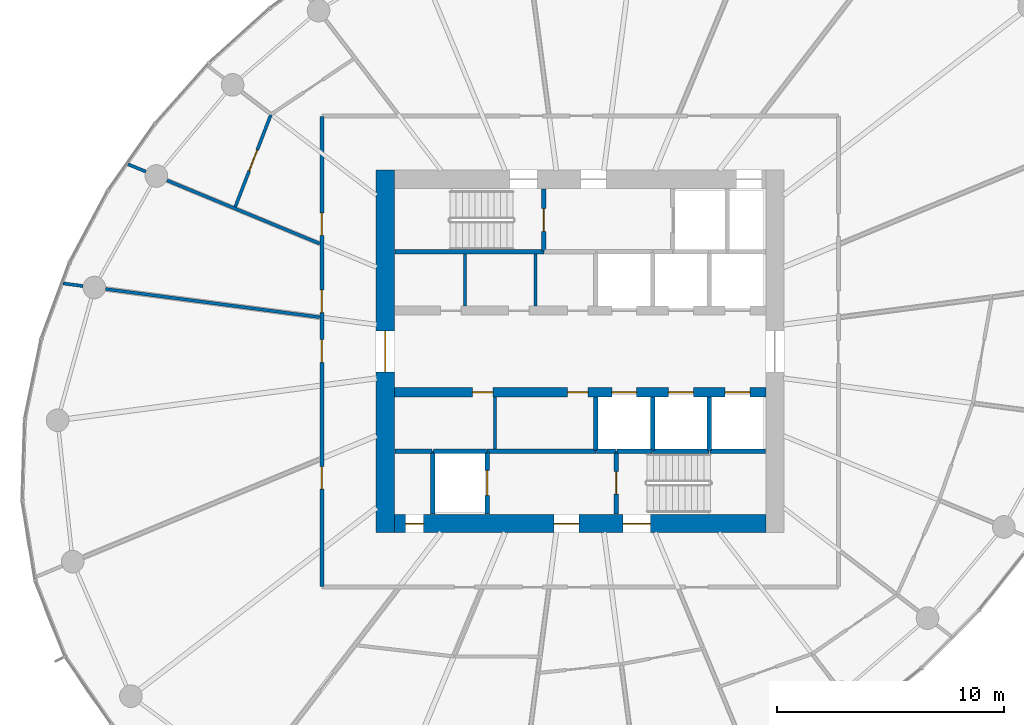
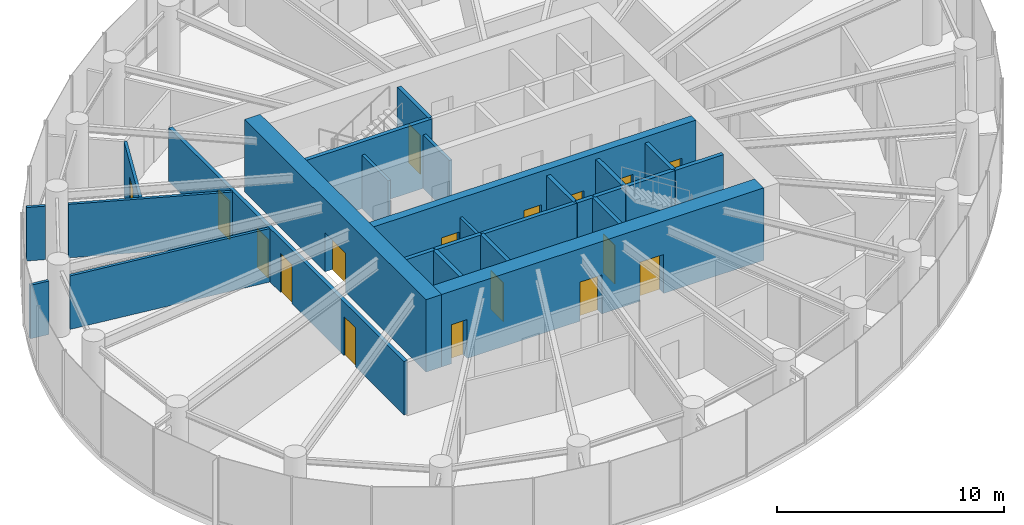
# One storey, part 9 of 14: 27 walls, 17 doors, 17 openings.
"""IFC4 building model written with IfcOpenShell, lengths in metres."""

from ifc_helpers import new_model, si_unit, direction, frame, frame_2d, origin, place, context, subcontext, project, spatial, rectangle, extrude, source, transform, mapped, material, layer, layer_set, type_object, element, fill, save


model = new_model("IFC4")

# Units and contexts
model_context = context("Model", 3, precision=1e-05, world=origin(), true_north=direction((0.0, 1.0)))
body_context = subcontext(model_context, "Body", "Model", "MODEL_VIEW")
ifc_project = project(units=[si_unit("LENGTHUNIT", "METRE"), si_unit("AREAUNIT", "SQUARE_METRE"), si_unit("VOLUMEUNIT", "CUBIC_METRE"), si_unit("PLANEANGLEUNIT", "RADIAN"), si_unit("MASSUNIT", "GRAM", prefix="KILO")], contexts=[model_context])

# Site, building, storey
site_placement = place(None, origin())
site = spatial("IfcSite", under=ifc_project, at=site_placement, CompositionType="ELEMENT")
building_placement = place(site_placement, origin())
building = spatial("IfcBuilding", under=site, at=building_placement, Name="Spindrift Exchange Tower", CompositionType="ELEMENT")
storey_placement = place(building_placement, frame((0.0, 0.0, 148.699951171875)))
storey = spatial("IfcBuildingStorey", under=building, at=storey_placement, Name="L35", CompositionType="ELEMENT", Elevation=148.699951171875)

# Wall, opening, door
ifc_material_1 = material(Name="Concrete 65 MPa", Category="concrete")
ifc_layer_1 = layer(ifc_material_1, 0.800048828125)
ifc_layer_set_1 = layer_set([ifc_layer_1], Name="RC Core Wall 800 Concrete 65 MPa")
wall_type_1 = type_object("IfcWallType", Name="RC Core Wall 800 Concrete 65 MPa", PredefinedType="SHEAR", material=ifc_layer_set_1)
wall_1_placement = place(storey_placement, frame((43.39990234375, 56.0, 0.0), z_axis=(0.0, 0.0, 1.0), x_axis=(0.0, -1.0, 0.0)))
wall_1 = element("IfcWall", 1, at=wall_1_placement, inside=storey, type_object=wall_type_1, Name="Core wall W L35", PredefinedType="SHEAR", context=body_context, shape_type="SweptSolid", body=[
    extrude(rectangle(XDim=16.0, YDim=0.800048828125, at=frame_2d((8.0, 0.0))), origin(), (0.0, 0.0, 1.0), 3.900146484375),
])
opening_1_placement = place(wall_1_placement, frame((7.10009765625, 0.0, 0.0)))
opening_1 = element("IfcOpeningElement", 2, at=opening_1_placement, cuts=wall_1, Name="Opening L35-D1", PredefinedType="OPENING", context=body_context, shape_type="SweptSolid", body=[
    extrude(rectangle(XDim=1.800048828125, YDim=2.10009765625, at=frame_2d((0.89990234375, 1.050048828125))), frame((0.0, 0.409912109375, 0.0), z_axis=(0.0, -1.0, 0.0), x_axis=(1.0, 0.0, 0.0)), (0.0, 0.0, 1.0), 0.820068359375),
])
ifc_material_2 = material(Name="Timber-core fire door", Category="wood")
door_type_1 = type_object("IfcDoorType", Name="DR-LOBBY-1800", OperationType="NOTDEFINED", PredefinedType="DOOR", material=ifc_material_2)
shared_shape_1 = source(origin(), body_context, "Body", "SweptSolid", [
    extrude(rectangle(XDim=1.800048828125, YDim=2.10009765625, at=frame_2d((0.89990234375, 1.050048828125))), frame((0.0, 0.02490234375, 0.0), z_axis=(0.0, -1.0, 0.0), x_axis=(1.0, 0.0, 0.0)), (0.0, 0.0, 1.0), 0.050048828125),
])
door_1_placement = place(opening_1_placement, origin())
door_1 = element("IfcDoor", 3, at=door_1_placement, inside=storey, type_object=door_type_1, Name="L35 Lobby door 1", OperationType="SINGLE_SWING_RIGHT", OverallHeight=2.10009765625, OverallWidth=1.800048828125, PredefinedType="DOOR", context=body_context, shape_type="MappedRepresentation", body=[
    mapped(shared_shape_1, transform((0.0, 0.0, 0.0), scale=1.0)),
])
fill(opening_1, door_1)

# Wall, openings, doors
wall_2_placement = place(storey_placement, frame((43.800048828125, 40.39990234375, 0.0), z_axis=(0.0, 0.0, 1.0), x_axis=(1.0, 0.0, 0.0)))
wall_2 = element("IfcWall", 4, at=wall_2_placement, inside=storey, type_object=wall_type_1, Name="Core wall S L35", PredefinedType="SHEAR", context=body_context, shape_type="SweptSolid", body=[
    extrude(rectangle(XDim=16.39990234375, YDim=0.800048828125, at=frame_2d((8.199951171875, 0.0))), origin(), (0.0, 0.0, 1.0), 3.900146484375),
])
opening_2_placement = place(wall_2_placement, frame((10.10009765625, 0.0, 0.0)))
opening_2 = element("IfcOpeningElement", 5, at=opening_2_placement, cuts=wall_2, Name="Opening L35-D15", PredefinedType="OPENING", context=body_context, shape_type="SweptSolid", body=[
    extrude(rectangle(XDim=1.199951171875, YDim=2.10009765625, at=frame_2d((0.60009765625, 1.050048828125))), frame((0.0, 0.409912109375, 0.0), z_axis=(0.0, -1.0, 0.0), x_axis=(1.0, 0.0, 0.0)), (0.0, 0.0, 1.0), 0.820068359375),
])
opening_3_placement = place(wall_2_placement, frame((7.050048828125, 0.0, 0.0)))
opening_3 = element("IfcOpeningElement", 6, at=opening_3_placement, cuts=wall_2, Name="Opening L35-D17", PredefinedType="OPENING", context=body_context, shape_type="SweptSolid", body=[
    extrude(rectangle(XDim=1.10009765625, YDim=2.10009765625, at=frame_2d((0.550048828125, 1.050048828125))), frame((0.0, 0.409912109375, 0.0), z_axis=(0.0, -1.0, 0.0), x_axis=(1.0, 0.0, 0.0)), (0.0, 0.0, 1.0), 0.820068359375),
])
opening_4_placement = place(wall_2_placement, frame((0.5, 0.0, 0.0)))
opening_4 = element("IfcOpeningElement", 7, at=opening_4_placement, cuts=wall_2, Name="Opening L35-D18", PredefinedType="OPENING", context=body_context, shape_type="SweptSolid", body=[
    extrude(rectangle(XDim=0.800048828125, YDim=2.10009765625, at=frame_2d((0.39990234375, 1.050048828125))), frame((0.0, 0.409912109375, 0.0), z_axis=(0.0, -1.0, 0.0), x_axis=(1.0, 0.0, 0.0)), (0.0, 0.0, 1.0), 0.820068359375),
])
ifc_material_3 = material(Name="Steel fire door", Category="steel")
door_type_2 = type_object("IfcDoorType", Name="DR-STAIR-1200", OperationType="NOTDEFINED", PredefinedType="DOOR", material=ifc_material_3)
shared_shape_2 = source(origin(), body_context, "Body", "SweptSolid", [
    extrude(rectangle(XDim=1.199951171875, YDim=2.10009765625, at=frame_2d((0.60009765625, 1.050048828125))), frame((0.0, 0.02490234375, 0.0), z_axis=(0.0, -1.0, 0.0), x_axis=(1.0, 0.0, 0.0)), (0.0, 0.0, 1.0), 0.050048828125),
])
door_2_placement = place(opening_2_placement, origin())
door_2 = element("IfcDoor", 8, at=door_2_placement, inside=storey, type_object=door_type_2, Name="L35 Stair door 15", OperationType="SINGLE_SWING_LEFT", OverallHeight=2.10009765625, OverallWidth=1.199951171875, PredefinedType="DOOR", context=body_context, shape_type="MappedRepresentation", body=[
    mapped(shared_shape_2, transform((0.0, 0.0, 0.0), scale=1.0)),
])
fill(opening_2, door_2)
door_type_3 = type_object("IfcDoorType", Name="DR-LOBBY-1100", OperationType="NOTDEFINED", PredefinedType="DOOR", material=ifc_material_2)
shared_shape_3 = source(origin(), body_context, "Body", "SweptSolid", [
    extrude(rectangle(XDim=1.10009765625, YDim=2.10009765625, at=frame_2d((0.550048828125, 1.050048828125))), frame((0.0, 0.02490234375, 0.0), z_axis=(0.0, -1.0, 0.0), x_axis=(1.0, 0.0, 0.0)), (0.0, 0.0, 1.0), 0.050048828125),
])
door_3_placement = place(opening_3_placement, origin())
door_3 = element("IfcDoor", 9, at=door_3_placement, inside=storey, type_object=door_type_3, Name="L35 Lobby door 17", OperationType="SINGLE_SWING_LEFT", OverallHeight=2.10009765625, OverallWidth=1.10009765625, PredefinedType="DOOR", context=body_context, shape_type="MappedRepresentation", body=[
    mapped(shared_shape_3, transform((0.0, 0.0, 0.0), scale=1.0)),
])
fill(opening_3, door_3)
ifc_material_4 = material(Name="Steel access door", Category="steel")
door_type_4 = type_object("IfcDoorType", Name="DR-RISER-800", OperationType="NOTDEFINED", PredefinedType="DOOR", material=ifc_material_4)
shared_shape_4 = source(origin(), body_context, "Body", "SweptSolid", [
    extrude(rectangle(XDim=0.800048828125, YDim=2.10009765625, at=frame_2d((0.39990234375, 1.050048828125))), frame((0.0, 0.02490234375, 0.0), z_axis=(0.0, -1.0, 0.0), x_axis=(1.0, 0.0, 0.0)), (0.0, 0.0, 1.0), 0.050048828125),
])
door_4_placement = place(opening_4_placement, origin())
door_4 = element("IfcDoor", 10, at=door_4_placement, inside=storey, type_object=door_type_4, Name="L35 Riser door 18", OperationType="SINGLE_SWING_RIGHT", OverallHeight=2.10009765625, OverallWidth=0.800048828125, PredefinedType="DOOR", context=body_context, shape_type="MappedRepresentation", body=[
    mapped(shared_shape_4, transform((0.0, 0.0, 0.0), scale=1.0)),
])
fill(opening_4, door_4)

ifc_layer_2 = layer(ifc_material_1, 0.39990234375)
ifc_layer_set_2 = layer_set([ifc_layer_2], Name="RC Spine Wall 400 Concrete 65 MPa")
wall_type_2 = type_object("IfcWallType", Name="RC Spine Wall 400 Concrete 65 MPa", PredefinedType="SHEAR", material=ifc_layer_set_2)
wall_3_placement = place(storey_placement, frame((43.800048828125, 46.199951171875, 0.0), z_axis=(0.0, 0.0, 1.0), x_axis=(1.0, 0.0, 0.0)))
wall_3 = element("IfcWall", 11, at=wall_3_placement, inside=storey, type_object=wall_type_2, Name="Core spine wall S L35", PredefinedType="SHEAR", context=body_context, shape_type="SweptSolid", body=[
    extrude(rectangle(XDim=16.39990234375, YDim=0.39990234375, at=frame_2d((8.199951171875, 0.0))), origin(), (0.0, 0.0, 1.0), 3.900146484375),
])
opening_5_placement = place(wall_3_placement, frame((9.60009765625, 0.0, 0.0)))
opening_5 = element("IfcOpeningElement", 12, at=opening_5_placement, cuts=wall_3, Name="Opening L35-D6", PredefinedType="OPENING", context=body_context, shape_type="SweptSolid", body=[
    extrude(rectangle(XDim=1.10009765625, YDim=2.10009765625, at=frame_2d((0.550048828125, 1.050048828125))), frame((0.0, 0.2099609375, 0.0), z_axis=(0.0, -1.0, 0.0), x_axis=(1.0, 0.0, 0.0)), (0.0, 0.0, 1.0), 0.419921875),
])
opening_6_placement = place(wall_3_placement, frame((12.10009765625, 0.0, 0.0)))
opening_6 = element("IfcOpeningElement", 13, at=opening_6_placement, cuts=wall_3, Name="Opening L35-D7", PredefinedType="OPENING", context=body_context, shape_type="SweptSolid", body=[
    extrude(rectangle(XDim=1.10009765625, YDim=2.10009765625, at=frame_2d((0.550048828125, 1.050048828125))), frame((0.0, 0.2099609375, 0.0), z_axis=(0.0, -1.0, 0.0), x_axis=(1.0, 0.0, 0.0)), (0.0, 0.0, 1.0), 0.419921875),
])
opening_7_placement = place(wall_3_placement, frame((14.60009765625, 0.0, 0.0)))
opening_7 = element("IfcOpeningElement", 14, at=opening_7_placement, cuts=wall_3, Name="Opening L35-D8", PredefinedType="OPENING", context=body_context, shape_type="SweptSolid", body=[
    extrude(rectangle(XDim=1.10009765625, YDim=2.10009765625, at=frame_2d((0.550048828125, 1.050048828125))), frame((0.0, 0.2099609375, 0.0), z_axis=(0.0, -1.0, 0.0), x_axis=(1.0, 0.0, 0.0)), (0.0, 0.0, 1.0), 0.419921875),
])
opening_8_placement = place(wall_3_placement, frame((3.449951171875, 0.0, 0.0)))
opening_8 = element("IfcOpeningElement", 15, at=opening_8_placement, cuts=wall_3, Name="Opening L35-D48", PredefinedType="OPENING", context=body_context, shape_type="SweptSolid", body=[
    extrude(rectangle(XDim=0.89990234375, YDim=2.10009765625, at=frame_2d((0.449951171875, 1.050048828125))), frame((0.0, 0.2099609375, 0.0), z_axis=(0.0, -1.0, 0.0), x_axis=(1.0, 0.0, 0.0)), (0.0, 0.0, 1.0), 0.419921875),
])
opening_9_placement = place(wall_3_placement, frame((7.64990234375, 0.0, 0.0)))
opening_9 = element("IfcOpeningElement", 16, at=opening_9_placement, cuts=wall_3, Name="Opening L35-D49", PredefinedType="OPENING", context=body_context, shape_type="SweptSolid", body=[
    extrude(rectangle(XDim=0.89990234375, YDim=2.10009765625, at=frame_2d((0.449951171875, 1.050048828125))), frame((0.0, 0.2099609375, 0.0), z_axis=(0.0, -1.0, 0.0), x_axis=(1.0, 0.0, 0.0)), (0.0, 0.0, 1.0), 0.419921875),
])
ifc_material_5 = material(Name="Stainless steel landing door", Category="steel")
door_type_5 = type_object("IfcDoorType", Name="DR-LANDING-1100-SL", OperationType="DOUBLE_DOOR_SLIDING", PredefinedType="USERDEFINED", material=ifc_material_5)
shared_shape_5 = source(origin(), body_context, "Body", "SweptSolid", [
    extrude(rectangle(XDim=1.10009765625, YDim=2.10009765625, at=frame_2d((0.550048828125, 1.050048828125))), frame((0.0, 0.02490234375, 0.0), z_axis=(0.0, -1.0, 0.0), x_axis=(1.0, 0.0, 0.0)), (0.0, 0.0, 1.0), 0.050048828125),
])
door_5_placement = place(opening_5_placement, origin())
door_5 = element("IfcDoor", 17, at=door_5_placement, inside=storey, type_object=door_type_5, Name="L35 Lift landing door 6", ObjectType="LANDING DOOR", OperationType="DOUBLE_DOOR_SLIDING", OverallHeight=2.10009765625, OverallWidth=1.10009765625, PredefinedType="USERDEFINED", context=body_context, shape_type="MappedRepresentation", body=[
    mapped(shared_shape_5, transform((0.0, 0.0, 0.0), scale=1.0)),
])
fill(opening_5, door_5)
door_6_placement = place(opening_6_placement, origin())
door_6 = element("IfcDoor", 18, at=door_6_placement, inside=storey, type_object=door_type_5, Name="L35 Lift landing door 7", ObjectType="LANDING DOOR", OperationType="DOUBLE_DOOR_SLIDING", OverallHeight=2.10009765625, OverallWidth=1.10009765625, PredefinedType="USERDEFINED", context=body_context, shape_type="MappedRepresentation", body=[
    mapped(shared_shape_5, transform((0.0, 0.0, 0.0), scale=1.0)),
])
fill(opening_6, door_6)
door_7_placement = place(opening_7_placement, origin())
door_7 = element("IfcDoor", 19, at=door_7_placement, inside=storey, type_object=door_type_5, Name="L35 Lift landing door 8", ObjectType="LANDING DOOR", OperationType="DOUBLE_DOOR_SLIDING", OverallHeight=2.10009765625, OverallWidth=1.10009765625, PredefinedType="USERDEFINED", context=body_context, shape_type="MappedRepresentation", body=[
    mapped(shared_shape_5, transform((0.0, 0.0, 0.0), scale=1.0)),
])
fill(opening_7, door_7)
door_type_6 = type_object("IfcDoorType", Name="DR-RISER-900", OperationType="NOTDEFINED", PredefinedType="DOOR", material=ifc_material_4)
shared_shape_6 = source(origin(), body_context, "Body", "SweptSolid", [
    extrude(rectangle(XDim=0.89990234375, YDim=2.10009765625, at=frame_2d((0.449951171875, 1.050048828125))), frame((0.0, 0.02490234375, 0.0), z_axis=(0.0, -1.0, 0.0), x_axis=(1.0, 0.0, 0.0)), (0.0, 0.0, 1.0), 0.050048828125),
])
door_8_placement = place(opening_8_placement, origin())
door_8 = element("IfcDoor", 20, at=door_8_placement, inside=storey, type_object=door_type_6, Name="L35 Riser door 48", OperationType="SINGLE_SWING_RIGHT", OverallHeight=2.10009765625, OverallWidth=0.89990234375, PredefinedType="DOOR", context=body_context, shape_type="MappedRepresentation", body=[
    mapped(shared_shape_6, transform((0.0, 0.0, 0.0), scale=1.0)),
])
fill(opening_8, door_8)
door_9_placement = place(opening_9_placement, origin())
door_9 = element("IfcDoor", 21, at=door_9_placement, inside=storey, type_object=door_type_6, Name="L35 Riser door 49", OperationType="SINGLE_SWING_LEFT", OverallHeight=2.10009765625, OverallWidth=0.89990234375, PredefinedType="DOOR", context=body_context, shape_type="MappedRepresentation", body=[
    mapped(shared_shape_6, transform((0.0, 0.0, 0.0), scale=1.0)),
])
fill(opening_9, door_9)

ifc_material_6 = material(Name="Fire-rated plasterboard partition", Category="gypsum")
ifc_layer_3 = layer(ifc_material_6, 0.179931640625)
ifc_layer_set_3 = layer_set([ifc_layer_3], Name="W-CORR-180")
wall_type_3 = type_object("IfcWallType", Name="W-CORR-180", PredefinedType="PARTITIONING", material=ifc_layer_set_3)
wall_4_placement = place(storey_placement, frame((40.60009765625, 37.6298828125, 0.0), z_axis=(0.0, 0.0, 1.0), x_axis=(0.0, 1.0, 0.0)))
wall_4 = element("IfcWall", 22, at=wall_4_placement, inside=storey, type_object=wall_type_3, Name="L35 Partition wall 30", PredefinedType="PARTITIONING", context=body_context, shape_type="SweptSolid", body=[
    extrude(rectangle(XDim=20.740234375, YDim=0.179931640625, at=frame_2d((10.3701171875, 0.0))), origin(), (0.0, 0.0, 1.0), 2.880126953125),
])
opening_10_placement = place(wall_4_placement, frame((15.489990234375, 0.0, 0.0)))
opening_10 = element("IfcOpeningElement", 23, at=opening_10_placement, cuts=wall_4, Name="Opening L35-D39", PredefinedType="OPENING", context=body_context, shape_type="SweptSolid", body=[
    extrude(rectangle(XDim=1.0, YDim=2.10009765625, at=frame_2d((0.5, 1.050048828125))), frame((0.0, 0.099853515625, 0.0), z_axis=(0.0, -1.0, 0.0), x_axis=(1.0, 0.0, 0.0)), (0.0, 0.0, 1.0), 0.199951171875),
])
opening_11_placement = place(wall_4_placement, frame((12.090087890625, 0.0, 0.0)))
opening_11 = element("IfcOpeningElement", 24, at=opening_11_placement, cuts=wall_4, Name="Opening L35-D42", PredefinedType="OPENING", context=body_context, shape_type="SweptSolid", body=[
    extrude(rectangle(XDim=1.0, YDim=2.10009765625, at=frame_2d((0.5, 1.050048828125))), frame((0.0, 0.099853515625, 0.0), z_axis=(0.0, -1.0, 0.0), x_axis=(1.0, 0.0, 0.0)), (0.0, 0.0, 1.0), 0.199951171875),
])
opening_12_placement = place(wall_4_placement, frame((9.889892578125, 0.0, 0.0)))
opening_12 = element("IfcOpeningElement", 25, at=opening_12_placement, cuts=wall_4, Name="Opening L35-D43", PredefinedType="OPENING", context=body_context, shape_type="SweptSolid", body=[
    extrude(rectangle(XDim=1.0, YDim=2.10009765625, at=frame_2d((0.5, 1.050048828125))), frame((0.0, 0.099853515625, 0.0), z_axis=(0.0, -1.0, 0.0), x_axis=(1.0, 0.0, 0.0)), (0.0, 0.0, 1.0), 0.199951171875),
])
opening_13_placement = place(wall_4_placement, frame((4.2900390625, 0.0, 0.0)))
opening_13 = element("IfcOpeningElement", 26, at=opening_13_placement, cuts=wall_4, Name="Opening L35-D44", PredefinedType="OPENING", context=body_context, shape_type="SweptSolid", body=[
    extrude(rectangle(XDim=1.0, YDim=2.10009765625, at=frame_2d((0.5, 1.050048828125))), frame((0.0, 0.099853515625, 0.0), z_axis=(0.0, -1.0, 0.0), x_axis=(1.0, 0.0, 0.0)), (0.0, 0.0, 1.0), 0.199951171875),
])
door_type_7 = type_object("IfcDoorType", Name="DR-ROOM-1000", OperationType="NOTDEFINED", PredefinedType="DOOR", material=ifc_material_2)
shared_shape_7 = source(origin(), body_context, "Body", "SweptSolid", [
    extrude(rectangle(XDim=1.0, YDim=2.10009765625, at=frame_2d((0.5, 1.050048828125))), frame((0.0, 0.02490234375, 0.0), z_axis=(0.0, -1.0, 0.0), x_axis=(1.0, 0.0, 0.0)), (0.0, 0.0, 1.0), 0.050048828125),
])
door_10_placement = place(opening_10_placement, origin())
door_10 = element("IfcDoor", 27, at=door_10_placement, inside=storey, type_object=door_type_7, Name="L35 Door 39", OperationType="SINGLE_SWING_LEFT", OverallHeight=2.10009765625, OverallWidth=1.0, PredefinedType="DOOR", context=body_context, shape_type="MappedRepresentation", body=[
    mapped(shared_shape_7, transform((0.0, 0.0, 0.0), scale=1.0)),
])
fill(opening_10, door_10)
door_11_placement = place(opening_11_placement, origin())
door_11 = element("IfcDoor", 28, at=door_11_placement, inside=storey, type_object=door_type_7, Name="L35 Door 42", OperationType="SINGLE_SWING_RIGHT", OverallHeight=2.10009765625, OverallWidth=1.0, PredefinedType="DOOR", context=body_context, shape_type="MappedRepresentation", body=[
    mapped(shared_shape_7, transform((0.0, 0.0, 0.0), scale=1.0)),
])
fill(opening_11, door_11)
door_12_placement = place(opening_12_placement, origin())
door_12 = element("IfcDoor", 29, at=door_12_placement, inside=storey, type_object=door_type_7, Name="L35 Door 43", OperationType="SINGLE_SWING_LEFT", OverallHeight=2.10009765625, OverallWidth=1.0, PredefinedType="DOOR", context=body_context, shape_type="MappedRepresentation", body=[
    mapped(shared_shape_7, transform((0.0, 0.0, 0.0), scale=1.0)),
])
fill(opening_12, door_12)
door_13_placement = place(opening_13_placement, origin())
door_13 = element("IfcDoor", 30, at=door_13_placement, inside=storey, type_object=door_type_7, Name="L35 Door 44", OperationType="SINGLE_SWING_RIGHT", OverallHeight=2.10009765625, OverallWidth=1.0, PredefinedType="DOOR", context=body_context, shape_type="MappedRepresentation", body=[
    mapped(shared_shape_7, transform((0.0, 0.0, 0.0), scale=1.0)),
])
fill(opening_13, door_13)

# Walls
ifc_layer_4 = layer(ifc_material_6, 0.139892578125)
ifc_layer_set_4 = layer_set([ifc_layer_4], Name="W-PART-140")
wall_type_4 = type_object("IfcWallType", Name="W-PART-140", PredefinedType="PARTITIONING", material=ifc_layer_set_4)
wall_5_placement = place(storey_placement, frame((40.510009765625, 49.5126953125, 0.0), z_axis=(0.0, 0.0, 1.0), x_axis=(-0.991446186521, 0.130516126334, 0.0)))
element("IfcWall", 31, at=wall_5_placement, inside=storey, type_object=wall_type_4, Name="L35 Partition wall 35", PredefinedType="PARTITIONING", context=body_context, shape_type="SweptSolid", body=[
    extrude(rectangle(XDim=9.532470703125, YDim=0.139892578125, at=frame_2d((4.76611328125, 0.0))), origin(), (0.0, 0.0, 1.0), 2.880126953125),
])
wall_6_placement = place(storey_placement, frame((33.767333984375, 55.55224609375, 0.0), z_axis=(0.0, 0.0, 1.0), x_axis=(0.923876577678, -0.382690565886, 0.0)))
element("IfcWall", 32, at=wall_6_placement, inside=storey, type_object=wall_type_4, Name="L35 Partition wall 37", PredefinedType="PARTITIONING", context=body_context, shape_type="SweptSolid", body=[
    extrude(rectangle(XDim=7.29833984375, YDim=0.139892578125, at=frame_2d((3.649169921875, 0.0))), origin(), (0.0, 0.0, 1.0), 2.880126953125),
])

# Wall, opening, door
wall_7_placement = place(storey_placement, frame((36.77978515625, 54.380126953125, 0.0), z_axis=(0.0, 0.0, 1.0), x_axis=(0.360482491494, 0.932765979936, 0.0)))
wall_7 = element("IfcWall", 33, at=wall_7_placement, inside=storey, type_object=wall_type_4, Name="L35 Partition wall 49", PredefinedType="PARTITIONING", context=body_context, shape_type="SweptSolid", body=[
    extrude(rectangle(XDim=4.351318359375, YDim=0.139892578125, at=frame_2d((2.17578125, 0.0))), origin(), (0.0, 0.0, 1.0), 2.880126953125),
])
opening_14_placement = place(wall_7_placement, frame((1.701416015625, 0.0, 0.0)))
opening_14 = element("IfcOpeningElement", 34, at=opening_14_placement, cuts=wall_7, Name="Opening L35-D41", PredefinedType="OPENING", context=body_context, shape_type="SweptSolid", body=[
    extrude(rectangle(XDim=1.0, YDim=2.10009765625, at=frame_2d((0.5, 1.050048828125))), frame((0.0, 0.079833984375, 0.0), z_axis=(0.0, -1.0, 0.0), x_axis=(1.0, 0.0, 0.0)), (0.0, 0.0, 1.0), 0.159912109375),
])
door_14_placement = place(opening_14_placement, origin())
door_14 = element("IfcDoor", 35, at=door_14_placement, inside=storey, type_object=door_type_7, Name="L35 Door 41", OperationType="SINGLE_SWING_LEFT", OverallHeight=2.10009765625, OverallWidth=1.0, PredefinedType="DOOR", context=body_context, shape_type="MappedRepresentation", body=[
    mapped(shared_shape_7, transform((0.0, 0.0, 0.0), scale=1.0)),
])
fill(opening_14, door_14)

# Walls
for number, where, z_axis, x_axis, name in (
    (36, (46.9150390625, 50.010009765625, 0.0), (0.0, 0.0, 1.0), (0.0, 1.0, 0.0), "L35 Partition wall 65"),
    (37, (48.25, 43.699951171875, 0.0), (0.0, 0.0, 1.0), (0.0, 1.0, 0.0), "L35 Partition wall 66"),
    (38, (50.030029296875, 50.010009765625, 0.0), (0.0, 0.0, 1.0), (0.0, 1.0, 0.0), "L35 Partition wall 67"),
):
    element("IfcWall", number, at=place(storey_placement, frame(where, z_axis=z_axis, x_axis=x_axis)), inside=storey, type_object=wall_type_4, Name=name, PredefinedType="PARTITIONING", context=body_context, shape_type="SweptSolid", body=[
        extrude(rectangle(XDim=2.2900390625, YDim=0.139892578125, at=frame_2d((1.14501953125, 0.0))), origin(), (0.0, 0.0, 1.0), 2.880126953125),
    ])
wall_8_placement = place(storey_placement, frame((30.058837890625, 50.888671875, 0.0), z_axis=(0.0, 0.0, 1.0), x_axis=(-0.99146844902, 0.13034690099, 0.0)))
element("IfcWall", 39, at=wall_8_placement, inside=storey, type_object=wall_type_4, Name="L35 Partition wall 81", PredefinedType="PARTITIONING", context=body_context, shape_type="SweptSolid", body=[
    extrude(rectangle(XDim=0.88037109375, YDim=0.139892578125, at=frame_2d((0.440185546875, 0.0))), origin(), (0.0, 0.0, 1.0), 2.880126953125),
])
wall_9_placement = place(storey_placement, frame((32.833984375, 55.938720703125, 0.0), z_axis=(0.0, 0.0, 1.0), x_axis=(-0.923855963606, 0.38274032778, 0.0)))
element("IfcWall", 40, at=wall_9_placement, inside=storey, type_object=wall_type_4, Name="L35 Partition wall 84", PredefinedType="PARTITIONING", context=body_context, shape_type="SweptSolid", body=[
    extrude(rectangle(XDim=0.850830078125, YDim=0.139892578125, at=frame_2d((0.42529296875, 0.0))), origin(), (0.0, 0.0, 1.0), 2.880126953125),
])
ifc_material_7 = material(Name="Concrete 40 MPa", Category="concrete")
ifc_layer_5 = layer(ifc_material_7, 0.199951171875)
ifc_layer_set_5 = layer_set([ifc_layer_5], Name="W-SHAFT-200")
wall_type_5 = type_object("IfcWallType", Name="W-SHAFT-200", PredefinedType="SOLIDWALL", material=ifc_layer_set_5)
wall_10_placement = place(storey_placement, frame((52.699951171875, 43.60009765625, 0.0), z_axis=(0.0, 0.0, 1.0), x_axis=(-1.0, 0.0, 0.0)))
element("IfcWall", 41, at=wall_10_placement, inside=storey, type_object=wall_type_5, Name="L35 Shaft wall 2", PredefinedType="SOLIDWALL", context=body_context, shape_type="SweptSolid", body=[
    extrude(rectangle(XDim=4.800048828125, YDim=0.199951171875, at=frame_2d((2.39990234375, 0.0))), origin(), (0.0, 0.0, 1.0), 3.580078125),
])
wall_11_placement = place(storey_placement, frame((45.5, 43.60009765625, 0.0), z_axis=(0.0, 0.0, 1.0), x_axis=(0.0, -1.0, 0.0)))
element("IfcWall", 42, at=wall_11_placement, inside=storey, type_object=wall_type_5, Name="L35 Shaft wall 3", PredefinedType="SOLIDWALL", context=body_context, shape_type="SweptSolid", body=[
    extrude(rectangle(XDim=2.780029296875, YDim=0.199951171875, at=frame_2d((1.39013671875, 0.0))), origin(), (0.0, 0.0, 1.0), 3.580078125),
])

# Wall, opening, door
wall_12_placement = place(storey_placement, frame((47.89990234375, 40.820068359375, 0.0), z_axis=(0.0, 0.0, 1.0), x_axis=(0.0, 1.0, 0.0)))
wall_12 = element("IfcWall", 43, at=wall_12_placement, inside=storey, type_object=wall_type_5, Name="L35 Shaft wall 4", PredefinedType="SOLIDWALL", context=body_context, shape_type="SweptSolid", body=[
    extrude(rectangle(XDim=2.75, YDim=0.199951171875, at=frame_2d((1.375, 0.0))), origin(), (0.0, 0.0, 1.0), 3.580078125),
])
opening_15_placement = place(wall_12_placement, frame((0.830078125, 0.0, 0.0)))
opening_15 = element("IfcOpeningElement", 44, at=opening_15_placement, cuts=wall_12, Name="Opening L35-D10", PredefinedType="OPENING", context=body_context, shape_type="SweptSolid", body=[
    extrude(rectangle(XDim=1.10009765625, YDim=2.10009765625, at=frame_2d((0.550048828125, 1.050048828125))), frame((0.0, 0.10986328125, 0.0), z_axis=(0.0, -1.0, 0.0), x_axis=(1.0, 0.0, 0.0)), (0.0, 0.0, 1.0), 0.219970703125),
])
door_15_placement = place(opening_15_placement, origin())
door_15 = element("IfcDoor", 45, at=door_15_placement, inside=storey, type_object=door_type_5, Name="L35 Lift landing door 10", ObjectType="LANDING DOOR", OperationType="DOUBLE_DOOR_SLIDING", OverallHeight=2.10009765625, OverallWidth=1.10009765625, PredefinedType="USERDEFINED", context=body_context, shape_type="MappedRepresentation", body=[
    mapped(shared_shape_5, transform((0.0, 0.0, 0.0), scale=1.0)),
])
fill(opening_15, door_15)

# Walls
wall_13_placement = place(storey_placement, frame((47.8701171875, 43.60009765625, 0.0), z_axis=(0.0, 0.0, 1.0), x_axis=(-1.0, 0.0, 0.0)))
element("IfcWall", 46, at=wall_13_placement, inside=storey, type_object=wall_type_5, Name="L35 Shaft wall 12", PredefinedType="SOLIDWALL", context=body_context, shape_type="SweptSolid", body=[
    extrude(rectangle(XDim=2.340087890625, YDim=0.199951171875, at=frame_2d((1.169921875, 0.0))), origin(), (0.0, 0.0, 1.0), 3.580078125),
])
wall_14_placement = place(storey_placement, frame((52.699951171875, 45.989990234375, 0.0), z_axis=(0.0, 0.0, 1.0), x_axis=(0.0, -1.0, 0.0)))
element("IfcWall", 47, at=wall_14_placement, inside=storey, type_object=wall_type_5, Name="L35 Shaft wall 13", PredefinedType="SOLIDWALL", context=body_context, shape_type="SweptSolid", body=[
    extrude(rectangle(XDim=2.360107421875, YDim=0.199951171875, at=frame_2d((1.18017578125, 0.0))), origin(), (0.0, 0.0, 1.0), 3.580078125),
])
wall_15_placement = place(storey_placement, frame((45.469970703125, 43.60009765625, 0.0), z_axis=(0.0, 0.0, 1.0), x_axis=(-1.0, 0.0, 0.0)))
element("IfcWall", 48, at=wall_15_placement, inside=storey, type_object=wall_type_5, Name="L35 Shaft wall 20", PredefinedType="SOLIDWALL", context=body_context, shape_type="SweptSolid", body=[
    extrude(rectangle(XDim=1.64990234375, YDim=0.199951171875, at=frame_2d((0.824951171875, 0.0))), origin(), (0.0, 0.0, 1.0), 3.580078125),
])
ifc_layer_6 = layer(ifc_material_7, 0.199951171875)
ifc_layer_set_6 = layer_set([ifc_layer_6], Name="W-SHAFT-200-LB")
wall_type_6 = type_object("IfcWallType", Name="W-SHAFT-200-LB", PredefinedType="SOLIDWALL", material=ifc_layer_set_6)
wall_16_placement = place(storey_placement, frame((43.820068359375, 52.39990234375, 0.0), z_axis=(0.0, 0.0, 1.0), x_axis=(1.0, 0.0, 0.0)))
element("IfcWall", 49, at=wall_16_placement, inside=storey, type_object=wall_type_6, Name="L35 Shaft wall 1", PredefinedType="SOLIDWALL", context=body_context, shape_type="SweptSolid", body=[
    extrude(rectangle(XDim=6.579833984375, YDim=0.199951171875, at=frame_2d((3.2900390625, 0.0))), origin(), (0.0, 0.0, 1.0), 3.580078125),
])

# Wall, opening, door
wall_17_placement = place(storey_placement, frame((50.39990234375, 52.429931640625, 0.0), z_axis=(0.0, 0.0, 1.0), x_axis=(0.0, 1.0, 0.0)))
wall_17 = element("IfcWall", 50, at=wall_17_placement, inside=storey, type_object=wall_type_6, Name="L35 Shaft wall 5", PredefinedType="SOLIDWALL", context=body_context, shape_type="SweptSolid", body=[
    extrude(rectangle(XDim=2.75, YDim=0.199951171875, at=frame_2d((1.375, 0.0))), origin(), (0.0, 0.0, 1.0), 3.580078125),
])
opening_16_placement = place(wall_17_placement, frame((0.8701171875, 0.0, 0.0)))
opening_16 = element("IfcOpeningElement", 51, at=opening_16_placement, cuts=wall_17, Name="Opening L35-D13", PredefinedType="OPENING", context=body_context, shape_type="SweptSolid", body=[
    extrude(rectangle(XDim=1.0, YDim=2.10009765625, at=frame_2d((0.5, 1.050048828125))), frame((0.0, 0.10986328125, 0.0), z_axis=(0.0, -1.0, 0.0), x_axis=(1.0, 0.0, 0.0)), (0.0, 0.0, 1.0), 0.219970703125),
])
door_type_8 = type_object("IfcDoorType", Name="DR-STAIR-1000", OperationType="NOTDEFINED", PredefinedType="DOOR", material=ifc_material_3)
shared_shape_8 = source(origin(), body_context, "Body", "SweptSolid", [
    extrude(rectangle(XDim=1.0, YDim=2.10009765625, at=frame_2d((0.5, 1.050048828125))), frame((0.0, 0.02490234375, 0.0), z_axis=(0.0, -1.0, 0.0), x_axis=(1.0, 0.0, 0.0)), (0.0, 0.0, 1.0), 0.050048828125),
])
door_16_placement = place(opening_16_placement, origin())
door_16 = element("IfcDoor", 52, at=door_16_placement, inside=storey, type_object=door_type_8, Name="L35 Stair door 13", OperationType="SINGLE_SWING_LEFT", OverallHeight=2.10009765625, OverallWidth=1.0, PredefinedType="DOOR", context=body_context, shape_type="MappedRepresentation", body=[
    mapped(shared_shape_8, transform((0.0, 0.0, 0.0), scale=1.0)),
])
fill(opening_16, door_16)

wall_18_placement = place(storey_placement, frame((53.60009765625, 43.60009765625, 0.0), z_axis=(0.0, 0.0, 1.0), x_axis=(0.0, -1.0, 0.0)))
wall_18 = element("IfcWall", 53, at=wall_18_placement, inside=storey, type_object=wall_type_6, Name="L35 Shaft wall 6", PredefinedType="SOLIDWALL", context=body_context, shape_type="SweptSolid", body=[
    extrude(rectangle(XDim=2.780029296875, YDim=0.199951171875, at=frame_2d((1.39013671875, 0.0))), origin(), (0.0, 0.0, 1.0), 3.580078125),
])
opening_17_placement = place(wall_18_placement, frame((0.89990234375, 0.0, 0.0)))
opening_17 = element("IfcOpeningElement", 54, at=opening_17_placement, cuts=wall_18, Name="Opening L35-D16", PredefinedType="OPENING", context=body_context, shape_type="SweptSolid", body=[
    extrude(rectangle(XDim=1.0, YDim=2.10009765625, at=frame_2d((0.5, 1.050048828125))), frame((0.0, 0.10986328125, 0.0), z_axis=(0.0, -1.0, 0.0), x_axis=(1.0, 0.0, 0.0)), (0.0, 0.0, 1.0), 0.219970703125),
])
door_17_placement = place(opening_17_placement, origin())
door_17 = element("IfcDoor", 55, at=door_17_placement, inside=storey, type_object=door_type_8, Name="L35 Stair door 16", OperationType="SINGLE_SWING_RIGHT", OverallHeight=2.10009765625, OverallWidth=1.0, PredefinedType="DOOR", context=body_context, shape_type="MappedRepresentation", body=[
    mapped(shared_shape_8, transform((0.0, 0.0, 0.0), scale=1.0)),
])
fill(opening_17, door_17)

# Walls
wall_19_placement = place(storey_placement, frame((55.199951171875, 43.60009765625, 0.0), z_axis=(0.0, 0.0, 1.0), x_axis=(1.0, 0.0, 0.0)))
element("IfcWall", 56, at=wall_19_placement, inside=storey, type_object=wall_type_6, Name="L35 Shaft wall 10", PredefinedType="SOLIDWALL", context=body_context, shape_type="SweptSolid", body=[
    extrude(rectangle(XDim=2.5, YDim=0.199951171875, at=frame_2d((1.25, 0.0))), origin(), (0.0, 0.0, 1.0), 3.580078125),
])
wall_20_placement = place(storey_placement, frame((57.72998046875, 43.60009765625, 0.0), z_axis=(0.0, 0.0, 1.0), x_axis=(1.0, 0.0, 0.0)))
element("IfcWall", 57, at=wall_20_placement, inside=storey, type_object=wall_type_6, Name="L35 Shaft wall 11", PredefinedType="SOLIDWALL", context=body_context, shape_type="SweptSolid", body=[
    extrude(rectangle(XDim=2.449951171875, YDim=0.199951171875, at=frame_2d((1.22509765625, 0.0))), origin(), (0.0, 0.0, 1.0), 3.580078125),
])
for number, where, z_axis, x_axis, name in (
    (58, (55.199951171875, 43.6298828125, 0.0), (0.0, 0.0, 1.0), (0.0, 1.0, 0.0), "L35 Shaft wall 15"),
    (59, (57.699951171875, 43.6298828125, 0.0), (0.0, 0.0, 1.0), (0.0, 1.0, 0.0), "L35 Shaft wall 17"),
):
    element("IfcWall", number, at=place(storey_placement, frame(where, z_axis=z_axis, x_axis=x_axis)), inside=storey, type_object=wall_type_6, Name=name, PredefinedType="SOLIDWALL", context=body_context, shape_type="SweptSolid", body=[
        extrude(rectangle(XDim=2.360107421875, YDim=0.199951171875, at=frame_2d((1.18017578125, 0.0))), origin(), (0.0, 0.0, 1.0), 3.580078125),
    ])
wall_21_placement = place(storey_placement, frame((53.6298828125, 43.60009765625, 0.0), z_axis=(0.0, 0.0, 1.0), x_axis=(1.0, 0.0, 0.0)))
element("IfcWall", 60, at=wall_21_placement, inside=storey, type_object=wall_type_6, Name="L35 Shaft wall 22", PredefinedType="SOLIDWALL", context=body_context, shape_type="SweptSolid", body=[
    extrude(rectangle(XDim=1.5400390625, YDim=0.199951171875, at=frame_2d((0.77001953125, 0.0))), origin(), (0.0, 0.0, 1.0), 3.580078125),
])
wall_22_placement = place(storey_placement, frame((52.72998046875, 43.60009765625, 0.0), z_axis=(0.0, 0.0, 1.0), x_axis=(1.0, 0.0, 0.0)))
element("IfcWall", 61, at=wall_22_placement, inside=storey, type_object=wall_type_6, Name="L35 Shaft wall 24", PredefinedType="SOLIDWALL", context=body_context, shape_type="SweptSolid", body=[
    extrude(rectangle(XDim=0.840087890625, YDim=0.199951171875, at=frame_2d((0.419921875, 0.0))), origin(), (0.0, 0.0, 1.0), 3.580078125),
])

save(model, "model.ifc")
